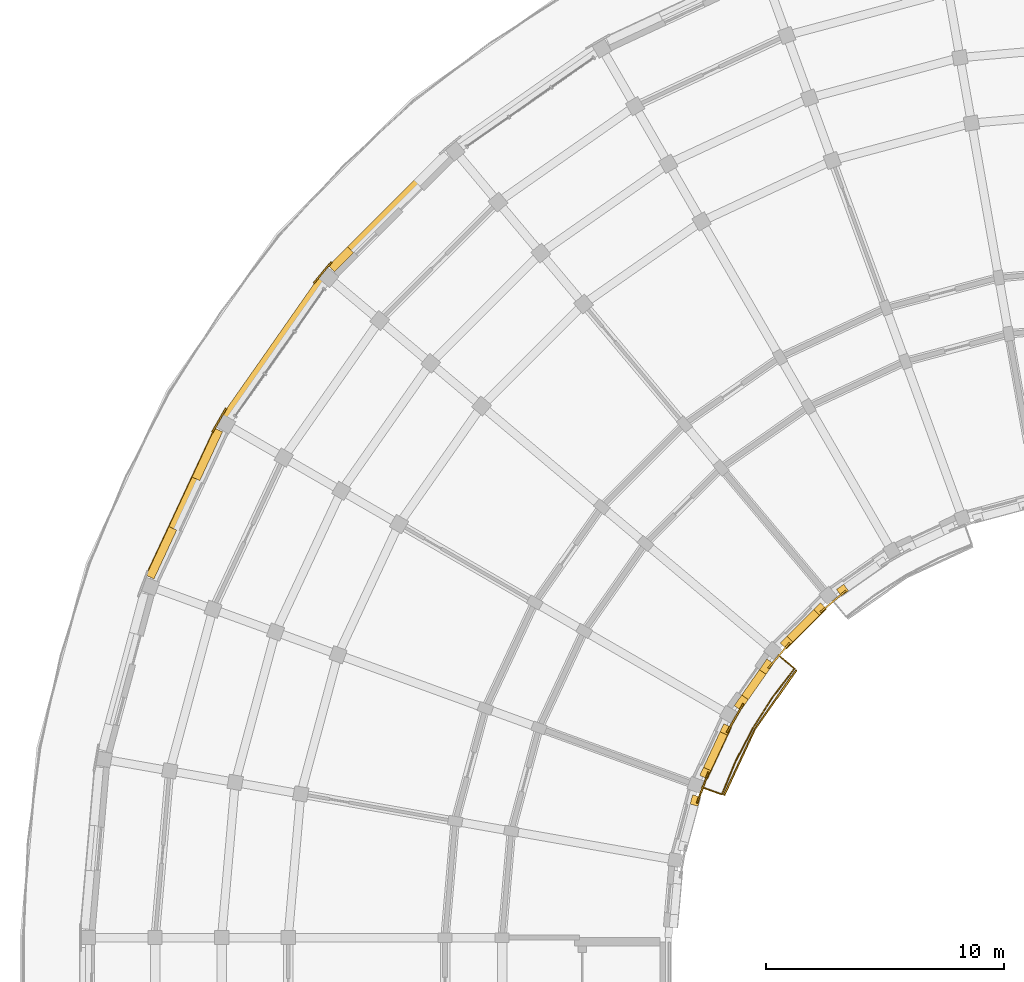
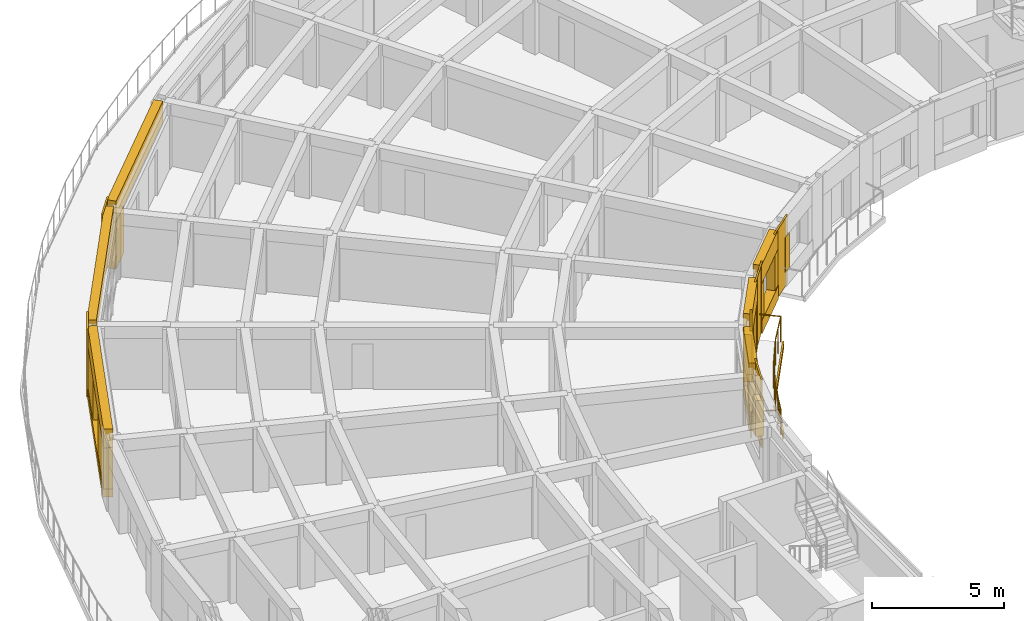
# One storey, part 24 of 32: 27 coverings, 1 railing.
"""IFC4 building model written with IfcOpenShell, lengths in metres."""

from ifc_helpers import new_model, si_unit, direction, frame, origin, origin_2d, place, context, subcontext, project, spatial, polyline, circle, outline, extrude, material, layer, layer_set, type_object, element, save


model = new_model("IFC4")

# Units and contexts
model_context = context("Model", 3, precision=1e-05, world=origin(), true_north=direction((0.0, 1.0)))
body_context = subcontext(model_context, "Body", "Model", "MODEL_VIEW")
ifc_project = project(units=[si_unit("LENGTHUNIT", "METRE"), si_unit("AREAUNIT", "SQUARE_METRE"), si_unit("VOLUMEUNIT", "CUBIC_METRE"), si_unit("PLANEANGLEUNIT", "RADIAN"), si_unit("MASSUNIT", "GRAM", prefix="KILO")], contexts=[model_context])

# Site, building, storey
site_placement = place(None, origin())
site = spatial("IfcSite", under=ifc_project, at=site_placement, CompositionType="ELEMENT")
building_placement = place(site_placement, origin())
building = spatial("IfcBuilding", under=site, at=building_placement, Name="Kiranvali Square Residences", CompositionType="ELEMENT")
storey_placement = place(building_placement, frame((0.0, 0.0, 40.199951171875)))
storey = spatial("IfcBuildingStorey", under=building, at=storey_placement, Name="L12", CompositionType="ELEMENT", Elevation=40.199951171875)

# Coverings
ifc_material_1 = material(Name="Carved Porbandar limestone classical entablature and cornice", Category="masonry")
ifc_layer_1 = layer(ifc_material_1, 0.06201171875)
ifc_layer_set_1 = layer_set([ifc_layer_1], Name="Carved Porbandar limestone classical entablature and cornice")
covering_type_1 = type_object("IfcCoveringType", Name="COV-CLAD-GBAL", PredefinedType="CLADDING", material=ifc_layer_set_1)
covering_1_placement = place(storey_placement, frame((0.0, 0.0, -0.219970703125)))
element("IfcCovering", 1, at=covering_1_placement, inside=storey, type_object=covering_type_1, Name="Block A L12 garden balcony limestone fascia 2", PredefinedType="CLADDING", context=body_context, shape_type="SweptSolid", body=[
    extrude(outline(polyline([(34.757568359375, 99.07958984375), (33.0029296875, 96.573974609375), (31.710205078125, 93.8017578125), (31.774169921875, 93.778564453125), (33.061767578125, 96.5400390625), (34.8095703125, 99.035888671875), (34.757568359375, 99.07958984375)])), origin(), (0.0, 0.0, 1.0), 0.27001953125),
])
ifc_material_2 = material(Name="Honed Porbandar limestone ashlar facade cladding", Category="masonry")
ifc_layer_2 = layer(ifc_material_2, 0.3798828125)
ifc_layer_set_2 = layer_set([ifc_layer_2], Name="Honed Porbandar limestone ashlar facade cladding")
covering_type_2 = type_object("IfcCoveringType", Name="COV-CLAD-JAMB", PredefinedType="CLADDING", material=ifc_layer_set_2)
covering_2_placement = place(storey_placement, origin())
element("IfcCovering", 2, at=covering_2_placement, inside=storey, type_object=covering_type_2, Name="L12 deep limestone window jamb reveal A-L12-CRV-04.R", PredefinedType="CLADDING", context=body_context, shape_type="SweptSolid", body=[
    extrude(outline(polyline([(15.89599609375, 116.86669921875), (15.099853515625, 116.070556640625), (15.35400390625, 115.816162109375), (16.150146484375, 116.6123046875), (15.89599609375, 116.86669921875)])), origin(), (0.0, 0.0, 1.0), 2.179931640625),
])
covering_3_placement = place(storey_placement, frame((0.0, 0.0, 0.380126953125)))
element("IfcCovering", 3, at=covering_3_placement, inside=storey, type_object=covering_type_2, Name="L12 deep limestone window jamb reveal A-L12-CRV-06.L", PredefinedType="CLADDING", context=body_context, shape_type="SweptSolid", body=[
    extrude(outline(polyline([(10.3134765625, 109.23486328125), (9.356201171875, 107.18212890625), (9.68212890625, 107.030029296875), (10.639404296875, 109.0830078125), (10.3134765625, 109.23486328125)])), origin(), (0.0, 0.0, 1.0), 1.89990234375),
])
covering_4_placement = place(storey_placement, frame((0.0, 0.0, 0.380126953125)))
element("IfcCovering", 4, at=covering_4_placement, inside=storey, type_object=covering_type_2, Name="L12 deep limestone window jamb reveal A-L12-CRV-06.R", PredefinedType="CLADDING", context=body_context, shape_type="SweptSolid", body=[
    extrude(outline(polyline([(8.38427734375, 105.097412109375), (7.427001953125, 103.044677734375), (7.752685546875, 102.892578125), (8.7099609375, 104.945556640625), (8.38427734375, 105.097412109375)])), origin(), (0.0, 0.0, 1.0), 1.89990234375),
])
covering_5_placement = place(storey_placement, frame((0.0, 0.0, 0.672119140625)))
element("IfcCovering", 5, at=covering_5_placement, inside=storey, type_object=covering_type_2, Name="L12 deep limestone window jamb reveal A-L12-GDN-03.R", PredefinedType="CLADDING", context=body_context, shape_type="SweptSolid", body=[
    extrude(outline(polyline([(36.7822265625, 102.66796875), (36.476318359375, 102.45361328125), (36.671142578125, 102.175537109375), (36.97705078125, 102.3896484375), (36.7822265625, 102.66796875)])), origin(), (0.0, 0.0, 1.0), 1.599853515625),
])
covering_6_placement = place(storey_placement, frame((0.0, 0.0, 0.6220703125)))
element("IfcCovering", 6, at=covering_6_placement, inside=storey, type_object=covering_type_2, Name="L12 deep limestone window jamb reveal A-L12-GDN-04.L", PredefinedType="CLADDING", context=body_context, shape_type="SweptSolid", body=[
    extrude(outline(polyline([(35.804931640625, 101.89013671875), (35.52294921875, 101.6083984375), (35.76318359375, 101.368408203125), (36.044921875, 101.650146484375), (35.804931640625, 101.89013671875)])), origin(), (0.0, 0.0, 1.0), 1.64990234375),
])
covering_7_placement = place(storey_placement, frame((0.0, 0.0, 0.6220703125)))
element("IfcCovering", 7, at=covering_7_placement, inside=storey, type_object=covering_type_2, Name="L12 deep limestone window jamb reveal A-L12-GDN-04.R", PredefinedType="CLADDING", context=body_context, shape_type="SweptSolid", body=[
    extrude(outline(polyline([(34.3916015625, 100.47705078125), (34.10986328125, 100.195068359375), (34.349853515625, 99.955078125), (34.631591796875, 100.23681640625), (34.3916015625, 100.47705078125)])), origin(), (0.0, 0.0, 1.0), 1.64990234375),
])
covering_8_placement = place(storey_placement, origin())
element("IfcCovering", 8, at=covering_8_placement, inside=storey, type_object=covering_type_2, Name="L12 deep limestone window jamb reveal A-L12-GDN-05.L", PredefinedType="CLADDING", context=body_context, shape_type="SweptSolid", body=[
    extrude(outline(polyline([(33.54638671875, 99.523681640625), (33.231689453125, 99.074462890625), (33.509765625, 98.879638671875), (33.824462890625, 99.328857421875), (33.54638671875, 99.523681640625)])), origin(), (0.0, 0.0, 1.0), 2.179931640625),
])
covering_9_placement = place(storey_placement, origin())
element("IfcCovering", 9, at=covering_9_placement, inside=storey, type_object=covering_type_2, Name="L12 deep limestone window jamb reveal A-L12-GDN-05.R", PredefinedType="CLADDING", context=body_context, shape_type="SweptSolid", body=[
    extrude(outline(polyline([(32.486083984375, 98.009521484375), (32.171630859375, 97.56005859375), (32.44970703125, 97.365478515625), (32.76416015625, 97.814697265625), (32.486083984375, 98.009521484375)])), origin(), (0.0, 0.0, 1.0), 2.179931640625),
])
covering_10_placement = place(storey_placement, frame((0.0, 0.0, 0.672119140625)))
element("IfcCovering", 10, at=covering_10_placement, inside=storey, type_object=covering_type_2, Name="L12 deep limestone window jamb reveal A-L12-GDN-06.L", PredefinedType="CLADDING", context=body_context, shape_type="SweptSolid", body=[
    extrude(outline(polyline([(31.733154296875, 96.801025390625), (31.575439453125, 96.46240234375), (31.883056640625, 96.319091796875), (32.041015625, 96.657470703125), (31.733154296875, 96.801025390625)])), origin(), (0.0, 0.0, 1.0), 1.599853515625),
])
covering_11_placement = place(storey_placement, frame((0.0, 0.0, 0.672119140625)))
element("IfcCovering", 11, at=covering_11_placement, inside=storey, type_object=covering_type_2, Name="L12 deep limestone window jamb reveal A-L12-GDN-06.R", PredefinedType="CLADDING", context=body_context, shape_type="SweptSolid", body=[
    extrude(outline(polyline([(30.8779296875, 94.967041015625), (30.72021484375, 94.62841796875), (31.02783203125, 94.485107421875), (31.185791015625, 94.823486328125), (30.8779296875, 94.967041015625)])), origin(), (0.0, 0.0, 1.0), 1.599853515625),
])
covering_12_placement = place(storey_placement, frame((0.0, 0.0, 0.6220703125)))
element("IfcCovering", 12, at=covering_12_placement, inside=storey, type_object=covering_type_2, Name="L12 deep limestone window jamb reveal A-L12-GDN-07.L", PredefinedType="CLADDING", context=body_context, shape_type="SweptSolid", body=[
    extrude(outline(polyline([(30.42041015625, 93.804931640625), (30.317138671875, 93.419921875), (30.645263671875, 93.33203125), (30.748291015625, 93.717041015625), (30.42041015625, 93.804931640625)])), origin(), (0.0, 0.0, 1.0), 1.64990234375),
])
ifc_layer_3 = layer(ifc_material_2, 0.06494140625)
ifc_layer_set_3 = layer_set([ifc_layer_3], Name="Honed Porbandar limestone ashlar facade cladding")
covering_type_3 = type_object("IfcCoveringType", Name="COV-CLAD-PIER", PredefinedType="CLADDING", material=ifc_layer_set_3)
covering_13_placement = place(storey_placement, frame((0.0, 0.0, 0.005126953125)))
element("IfcCovering", 13, at=covering_13_placement, inside=storey, type_object=covering_type_3, Name="L12 Classical limestone corner pilaster CLAD-PR-A-L12-A05", PredefinedType="CLADDING", context=body_context, shape_type="SweptSolid", body=[
    extrude(outline(polyline([(15.19775390625, 116.249267578125), (14.4521484375, 115.360595703125), (14.50390625, 115.3173828125), (15.24951171875, 116.205810546875), (15.19775390625, 116.249267578125)])), origin(), (0.0, 0.0, 1.0), 3.139892578125),
])
covering_14_placement = place(storey_placement, frame((0.0, 0.0, 0.005126953125)))
element("IfcCovering", 14, at=covering_14_placement, inside=storey, type_object=covering_type_3, Name="L12 Classical limestone corner pilaster CLAD-PR-A-L12-A06", PredefinedType="CLADDING", context=body_context, shape_type="SweptSolid", body=[
    extrude(outline(polyline([(10.759033203125, 110.086181640625), (10.178955078125, 109.081787109375), (10.237548828125, 109.0478515625), (10.8173828125, 110.052490234375), (10.759033203125, 110.086181640625)])), origin(), (0.0, 0.0, 1.0), 3.139892578125),
])
ifc_layer_4 = layer(ifc_material_2, 0.050048828125)
ifc_layer_set_4 = layer_set([ifc_layer_4], Name="Honed Porbandar limestone ashlar facade cladding")
covering_type_4 = type_object("IfcCoveringType", Name="COV-CLAD-PIER-IN", PredefinedType="CLADDING", material=ifc_layer_set_4)
covering_15_placement = place(storey_placement, frame((0.0, 0.0, 0.005126953125)))
element("IfcCovering", 15, at=covering_15_placement, inside=storey, type_object=covering_type_4, Name="L12 Classical garden courtyard pilaster CLAD-PRIN-A-L12-A04", PredefinedType="CLADDING", context=body_context, shape_type="SweptSolid", body=[
    extrude(outline(polyline([(35.81591796875, 101.4697265625), (36.888427734375, 102.36962890625), (36.844970703125, 102.42138671875), (35.7724609375, 101.521484375), (35.81591796875, 101.4697265625)])), origin(), (0.0, 0.0, 1.0), 3.139892578125),
])
covering_16_placement = place(storey_placement, frame((0.0, 0.0, 0.005126953125)))
element("IfcCovering", 16, at=covering_16_placement, inside=storey, type_object=covering_type_4, Name="L12 Classical garden courtyard pilaster CLAD-PRIN-A-L12-A05", PredefinedType="CLADDING", context=body_context, shape_type="SweptSolid", body=[
    extrude(outline(polyline([(33.63037109375, 99.111572265625), (34.5302734375, 100.18408203125), (34.478515625, 100.2275390625), (33.57861328125, 99.155029296875), (33.63037109375, 99.111572265625)])), origin(), (0.0, 0.0, 1.0), 3.139892578125),
])
covering_17_placement = place(storey_placement, frame((0.0, 0.0, 0.005126953125)))
element("IfcCovering", 17, at=covering_17_placement, inside=storey, type_object=covering_type_4, Name="L12 Classical garden courtyard pilaster CLAD-PRIN-A-L12-A06", PredefinedType="CLADDING", context=body_context, shape_type="SweptSolid", body=[
    extrude(outline(polyline([(31.887451171875, 96.40966796875), (32.58740234375, 97.622314453125), (32.529052734375, 97.656005859375), (31.828857421875, 96.443603515625), (31.887451171875, 96.40966796875)])), origin(), (0.0, 0.0, 1.0), 3.139892578125),
])
covering_18_placement = place(storey_placement, frame((0.0, 0.0, 0.005126953125)))
element("IfcCovering", 18, at=covering_18_placement, inside=storey, type_object=covering_type_4, Name="L12 Classical garden courtyard pilaster CLAD-PRIN-A-L12-A07", PredefinedType="CLADDING", context=body_context, shape_type="SweptSolid", body=[
    extrude(outline(polyline([(30.64013671875, 93.4462890625), (31.118896484375, 94.761962890625), (31.0556640625, 94.784912109375), (30.57666015625, 93.469482421875), (30.64013671875, 93.4462890625)])), origin(), (0.0, 0.0, 1.0), 3.139892578125),
])
ifc_layer_5 = layer(ifc_material_2, 0.360107421875)
ifc_layer_set_5 = layer_set([ifc_layer_5], Name="Honed Porbandar limestone ashlar facade cladding")
covering_type_5 = type_object("IfcCoveringType", Name="COV-CLAD-WALL", PredefinedType="CLADDING", material=ifc_layer_set_5)
covering_19_placement = place(storey_placement, frame((0.0, 0.0, 2.179931640625)))
element("IfcCovering", 19, at=covering_19_placement, inside=storey, type_object=covering_type_5, Name="L12 light limestone spandrel lintel A-L12-CRV-04", PredefinedType="CLADDING", context=body_context, shape_type="SweptSolid", body=[
    extrude(outline(polyline([(19.929443359375, 120.900146484375), (15.099853515625, 116.070556640625), (15.35400390625, 115.816162109375), (20.183837890625, 120.64599609375), (19.929443359375, 120.900146484375)])), origin(), (0.0, 0.0, 1.0), 0.965087890625),
])
covering_20_placement = place(storey_placement, frame((0.0, 0.0, 2.47998046875)))
element("IfcCovering", 20, at=covering_20_placement, inside=storey, type_object=covering_type_5, Name="Block A L12 limestone terrace header 6", PredefinedType="CLADDING", context=body_context, shape_type="SweptSolid", body=[
    extrude(outline(polyline([(14.81201171875, 115.77490234375), (10.492919921875, 109.6064453125), (10.7861328125, 109.401123046875), (15.105224609375, 115.569580078125), (14.81201171875, 115.77490234375)])), origin(), (0.0, 0.0, 1.0), 0.6650390625),
])
covering_21_placement = place(storey_placement, frame((0.0, 0.0, 2.280029296875)))
element("IfcCovering", 21, at=covering_21_placement, inside=storey, type_object=covering_type_5, Name="L12 light limestone spandrel lintel A-L12-CRV-06", PredefinedType="CLADDING", context=body_context, shape_type="SweptSolid", body=[
    extrude(outline(polyline([(10.3134765625, 109.23486328125), (7.427001953125, 103.044677734375), (7.752685546875, 102.892578125), (10.639404296875, 109.0830078125), (10.3134765625, 109.23486328125)])), origin(), (0.0, 0.0, 1.0), 0.864990234375),
])
covering_22_placement = place(storey_placement, frame((0.0, 0.0, 2.27197265625)))
element("IfcCovering", 22, at=covering_22_placement, inside=storey, type_object=covering_type_5, Name="L12 light limestone spandrel lintel A-L12-GDN-04", PredefinedType="CLADDING", context=body_context, shape_type="SweptSolid", body=[
    extrude(outline(polyline([(35.804931640625, 101.89013671875), (34.10986328125, 100.195068359375), (34.349853515625, 99.955078125), (36.044921875, 101.650146484375), (35.804931640625, 101.89013671875)])), origin(), (0.0, 0.0, 1.0), 0.873046875),
])
covering_23_placement = place(storey_placement, frame((0.0, 0.0, 2.179931640625)))
element("IfcCovering", 23, at=covering_23_placement, inside=storey, type_object=covering_type_5, Name="L12 light limestone spandrel lintel A-L12-GDN-05", PredefinedType="CLADDING", context=body_context, shape_type="SweptSolid", body=[
    extrude(outline(polyline([(33.54638671875, 99.523681640625), (32.171630859375, 97.56005859375), (32.44970703125, 97.365478515625), (33.824462890625, 99.328857421875), (33.54638671875, 99.523681640625)])), origin(), (0.0, 0.0, 1.0), 0.965087890625),
])
covering_24_placement = place(storey_placement, frame((0.0, 0.0, 2.27197265625)))
element("IfcCovering", 24, at=covering_24_placement, inside=storey, type_object=covering_type_5, Name="L12 light limestone spandrel lintel A-L12-GDN-06", PredefinedType="CLADDING", context=body_context, shape_type="SweptSolid", body=[
    extrude(outline(polyline([(31.733154296875, 96.801025390625), (30.72021484375, 94.62841796875), (31.02783203125, 94.485107421875), (32.041015625, 96.657470703125), (31.733154296875, 96.801025390625)])), origin(), (0.0, 0.0, 1.0), 0.873046875),
])
ifc_layer_6 = layer(ifc_material_2, 0.320068359375)
ifc_layer_set_6 = layer_set([ifc_layer_6], Name="Honed Porbandar limestone ashlar facade cladding")
covering_type_6 = type_object("IfcCoveringType", Name="COV-CLAD-WALL-UP", PredefinedType="CLADDING", material=ifc_layer_set_6)
covering_25_placement = place(storey_placement, frame((0.0, 0.0, 0.005126953125)))
element("IfcCovering", 25, at=covering_25_placement, inside=storey, type_object=covering_type_6, Name="L12 limestone window sill apron A-L12-CRV-06", PredefinedType="CLADDING", context=body_context, shape_type="SweptSolid", body=[
    extrude(outline(polyline([(10.286376953125, 109.24755859375), (7.399658203125, 103.057373046875), (7.752685546875, 102.892578125), (10.639404296875, 109.0830078125), (10.286376953125, 109.24755859375)])), origin(), (0.0, 0.0, 1.0), 0.375),
])
covering_26_placement = place(storey_placement, frame((0.0, 0.0, 0.005126953125)))
element("IfcCovering", 26, at=covering_26_placement, inside=storey, type_object=covering_type_6, Name="L12 limestone window sill apron A-L12-GDN-04", PredefinedType="CLADDING", context=body_context, shape_type="SweptSolid", body=[
    extrude(outline(polyline([(35.804931640625, 101.89013671875), (34.10986328125, 100.195068359375), (34.37109375, 99.933837890625), (36.066162109375, 101.62890625), (35.804931640625, 101.89013671875)])), origin(), (0.0, 0.0, 1.0), 0.616943359375),
])
covering_27_placement = place(storey_placement, frame((0.0, 0.0, 0.005126953125)))
element("IfcCovering", 27, at=covering_27_placement, inside=storey, type_object=covering_type_6, Name="L12 limestone window sill apron A-L12-GDN-06", PredefinedType="CLADDING", context=body_context, shape_type="SweptSolid", body=[
    extrude(outline(polyline([(31.733154296875, 96.801025390625), (30.72021484375, 94.62841796875), (31.05517578125, 94.472412109375), (32.068115234375, 96.644775390625), (31.733154296875, 96.801025390625)])), origin(), (0.0, 0.0, 1.0), 0.6669921875),
])

# Railing
ifc_material_3 = material(Name="Powder-coated architectural bronze balustrade", Category="steel")
railing_type = type_object("IfcRailingType", Name="RL-BAL-GOLD-1200", PredefinedType="BALUSTRADE", material=ifc_material_3)
railing_placement = place(storey_placement, frame((33.8291015625, 99.858642578125, 0.0)))
element("IfcRailing", 28, at=railing_placement, inside=storey, type_object=railing_type, Name="Block A L12 garden balcony gold balustrade 2", PredefinedType="BALUSTRADE", context=body_context, shape_type="SweptSolid", body=[
    extrude(circle(Radius=0.02392578125, at=origin_2d()), frame((0.0, 0.0, 1.17578125), z_axis=(0.765989188314, -0.642853454051, 0.0), x_axis=(0.642853454051, 0.765989188314, 0.0)), (0.0, 0.0, 1.0), 1.14990234375),
    extrude(circle(Radius=0.02392578125, at=origin_2d()), frame((0.880859375, -0.7392578125, 1.17578125), z_axis=(-0.608811807471, -0.793314680996, 0.0), x_axis=(0.793314680996, -0.608811807471, 0.0)), (0.0, 0.0, 1.0), 1.536376953125),
    extrude(circle(Radius=0.02392578125, at=origin_2d()), frame((-0.054443359375, -1.9580078125, 1.17578125), z_axis=(-0.537307309343, -0.843386539688, 0.0), x_axis=(0.843386539688, -0.537307309343, 0.0)), (0.0, 0.0, 1.0), 1.5361328125),
    extrude(circle(Radius=0.02392578125, at=origin_2d()), frame((-0.8798828125, -3.253662109375, 1.17578125), z_axis=(-0.461713009976, -0.887029366154, 0.0), x_axis=(0.887029366154, -0.461713009976, 0.0)), (0.0, 0.0, 1.0), 1.5361328125),
    extrude(circle(Radius=0.02392578125, at=origin_2d()), frame((-1.589111328125, -4.6162109375, 1.17578125), z_axis=(-0.382651197843, -0.923892883829, 0.0), x_axis=(0.923892883829, -0.382651197843, 0.0)), (0.0, 0.0, 1.0), 1.536376953125),
    extrude(circle(Radius=0.02392578125, at=origin_2d()), frame((-2.177001953125, -6.03564453125, 1.17578125), z_axis=(-0.939712828289, 0.341964618562, 0.0), x_axis=(-0.341964618562, -0.939712828289, 0.0)), (0.0, 0.0, 1.0), 1.150146484375),
    extrude(circle(Radius=0.02099609375, at=origin_2d()), origin(), (0.0, 0.0, 1.0), 1.15185546875),
    extrude(circle(Radius=0.02099609375, at=origin_2d()), frame((0.880859375, -0.7392578125, 0.0)), (0.0, 0.0, 1.0), 1.15185546875),
    extrude(circle(Radius=0.02099609375, at=origin_2d()), frame((0.4130859375, -1.3486328125, 0.0)), (0.0, 0.0, 1.0), 1.15185546875),
    extrude(circle(Radius=0.02099609375, at=origin_2d()), frame((-0.054443359375, -1.9580078125, 0.0)), (0.0, 0.0, 1.0), 1.15185546875),
    extrude(circle(Radius=0.02099609375, at=origin_2d()), frame((-0.46728515625, -2.60595703125, 0.0)), (0.0, 0.0, 1.0), 1.15185546875),
    extrude(circle(Radius=0.02099609375, at=origin_2d()), frame((-0.8798828125, -3.253662109375, 0.0)), (0.0, 0.0, 1.0), 1.15185546875),
    extrude(circle(Radius=0.02099609375, at=origin_2d()), frame((-1.234375, -3.93505859375, 0.0)), (0.0, 0.0, 1.0), 1.15185546875),
    extrude(circle(Radius=0.02099609375, at=origin_2d()), frame((-1.589111328125, -4.6162109375, 0.0)), (0.0, 0.0, 1.0), 1.15185546875),
    extrude(circle(Radius=0.02099609375, at=origin_2d()), frame((-1.883056640625, -5.325927734375, 0.0)), (0.0, 0.0, 1.0), 1.15185546875),
    extrude(circle(Radius=0.02099609375, at=origin_2d()), frame((-2.177001953125, -6.03564453125, 0.0)), (0.0, 0.0, 1.0), 1.15185546875),
    extrude(circle(Radius=0.02099609375, at=origin_2d()), frame((-3.2578125, -5.642333984375, 0.0)), (0.0, 0.0, 1.0), 1.15185546875),
])

save(model, "model.ifc")
